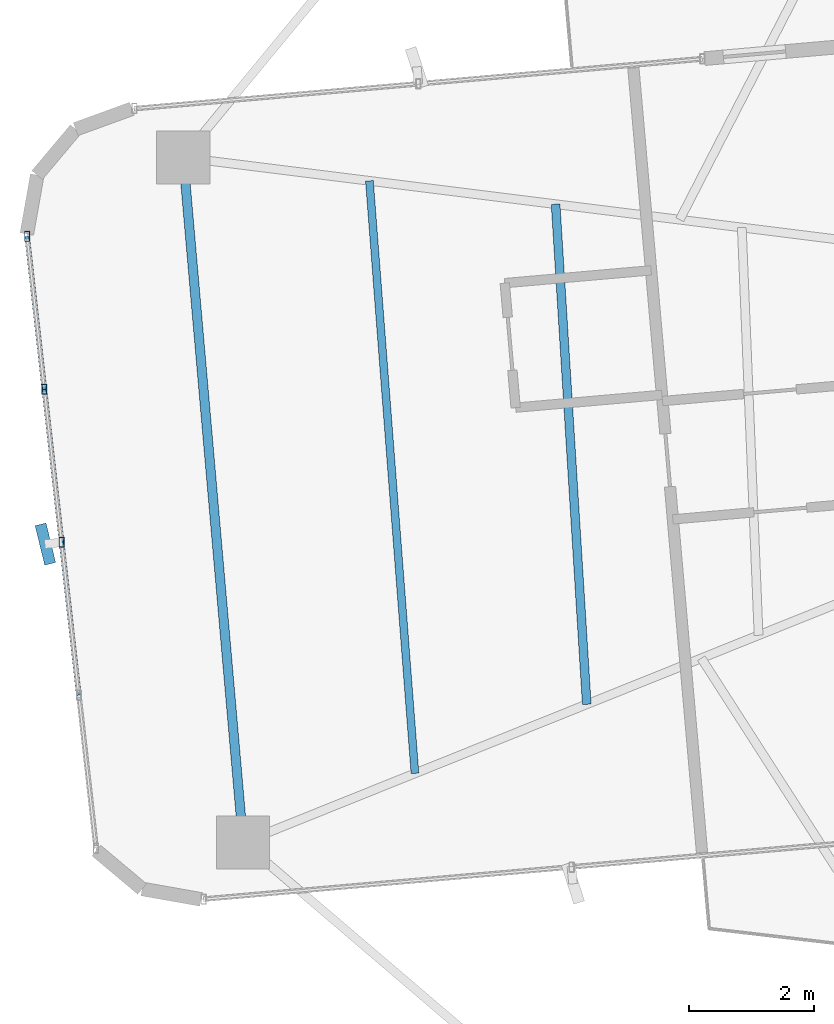
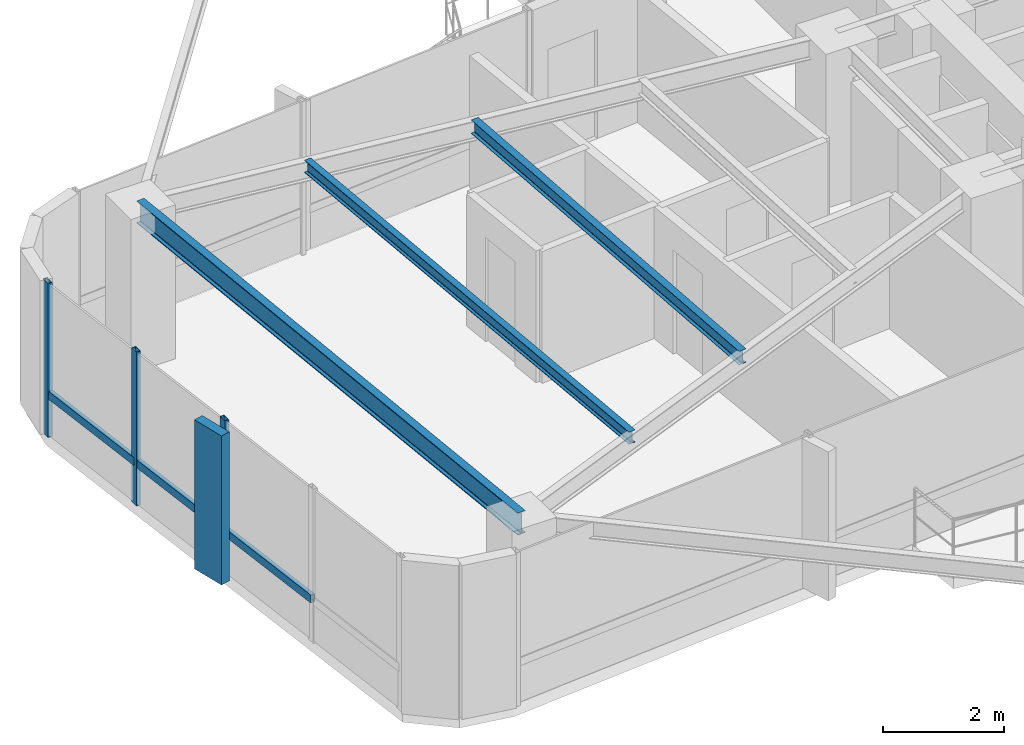
# One storey, part 8 of 24: 7 members, 3 beams, 1 element without a shape of its own.
"""IFC4 building model written with IfcOpenShell, lengths in metres."""

from ifc_helpers import new_model, si_unit, direction, frame, origin, origin_2d, place, context, subcontext, project, spatial, rectangle, hollow_rectangle, i_section, extrude, source, transform, mapped, material, material_profile, profile_set, type_object, element, aggregate, save


model = new_model("IFC4")

# Units and contexts
model_context = context("Model", 3, precision=1e-05, world=origin(), true_north=direction((0.0, 1.0)))
body_context = subcontext(model_context, "Body", "Model", "MODEL_VIEW")
ifc_project = project(units=[si_unit("LENGTHUNIT", "METRE"), si_unit("AREAUNIT", "SQUARE_METRE"), si_unit("VOLUMEUNIT", "CUBIC_METRE"), si_unit("PLANEANGLEUNIT", "RADIAN"), si_unit("MASSUNIT", "GRAM", prefix="KILO")], contexts=[model_context])

# Site, building, storey
site_placement = place(None, origin())
site = spatial("IfcSite", under=ifc_project, at=site_placement, CompositionType="ELEMENT")
building_placement = place(site_placement, origin())
building = spatial("IfcBuilding", under=site, at=building_placement, Name="Sahyath Konkavel Grand Hotel", CompositionType="ELEMENT")
storey_placement = place(building_placement, frame((0.0, 0.0, 181.89990234375)))
storey = spatial("IfcBuildingStorey", under=building, at=storey_placement, Name="L50", CompositionType="ELEMENT", Elevation=181.89990234375)

# Beams
ifc_material_1 = material(Name="Steel E350", Category="steel")
ifc_material_profile_1 = material_profile(ifc_material_1, i_section(OverallWidth=0.14990234375, OverallDepth=0.449951171875, WebThickness=0.009521484375, FlangeThickness=0.017333984375, FilletRadius=0.014892578125, at=origin_2d()), Name="ISMB 450")
ifc_profile_set_1 = profile_set([ifc_material_profile_1], Name="Steel E350")
beam_type_1 = type_object("IfcBeamType", Name="BM-ISMB450", PredefinedType="BEAM", material=ifc_profile_set_1)
shared_shape_1 = source(origin(), body_context, "Body", "SweptSolid", [
    extrude(i_section(OverallWidth=0.14990234375, OverallDepth=0.449951171875, WebThickness=0.009521484375, FlangeThickness=0.017333984375, FilletRadius=0.014892578125, at=origin_2d()), origin(), (0.0, 0.0, 1.0), 11.0),
])
beam_1_placement = place(storey_placement, frame((-17.912841796875, 3.953857421875, 2.885009765625), z_axis=(0.087157314015, -0.996194560622, 0.0), x_axis=(0.996194560622, 0.087157314015, 0.0)))
element("IfcBeam", 1, at=beam_1_placement, inside=storey, type_object=beam_type_1, Name="L50 Wing Tip Edge Beam W", PredefinedType="BEAM", context=body_context, shape_type="MappedRepresentation", body=[
    mapped(shared_shape_1, transform((0.0, 0.0, 0.0), scale=1.0)),
])
ifc_material_profile_2 = material_profile(ifc_material_1, i_section(OverallWidth=0.139892578125, OverallDepth=0.27490234375, WebThickness=0.00634765625, FlangeThickness=0.0087890625, FilletRadius=0.012939453125, at=origin_2d()), Name="ISLB 275")
ifc_profile_set_2 = profile_set([ifc_material_profile_2], Name="Steel E350")
beam_type_2 = type_object("IfcBeamType", Name="BM-ISLB275", PredefinedType="BEAM", material=ifc_profile_set_2)
shared_shape_2 = source(origin(), body_context, "Body", "SweptSolid", [
    extrude(i_section(OverallWidth=0.139892578125, OverallDepth=0.27490234375, WebThickness=0.00634765625, FlangeThickness=0.0087890625, FilletRadius=0.012939453125, at=origin_2d()), origin(), (0.0, 0.0, 1.0), 8.017822265625),
])
beam_2_placement = place(storey_placement, frame((-11.95458984375, 3.2080078125, 2.97265625), z_axis=(0.062179233264, -0.998064999362, 0.0), x_axis=(0.998064999362, 0.062179233264, 0.0)))
element("IfcBeam", 2, at=beam_2_placement, inside=storey, type_object=beam_type_2, Name="L50 Secondary Floor Beam W-2", PredefinedType="BEAM", context=body_context, shape_type="MappedRepresentation", body=[
    mapped(shared_shape_2, transform((0.0, 0.0, 0.0), scale=1.0)),
])
ifc_material_profile_3 = material_profile(ifc_material_1, i_section(OverallWidth=0.125, OverallDepth=0.25, WebThickness=0.0068359375, FlangeThickness=0.012451171875, FilletRadius=0.012939453125, at=origin_2d()), Name="ISMB 250")
ifc_profile_set_3 = profile_set([ifc_material_profile_3], Name="Steel E350")
beam_type_3 = type_object("IfcBeamType", Name="BM-ISMB250", PredefinedType="BEAM", material=ifc_profile_set_3)
shared_shape_3 = source(origin(), body_context, "Body", "SweptSolid", [
    extrude(i_section(OverallWidth=0.125, OverallDepth=0.25, WebThickness=0.0068359375, FlangeThickness=0.012451171875, FilletRadius=0.012939453125, at=origin_2d()), origin(), (0.0, 0.0, 1.0), 9.508056640625),
])
beam_3_placement = place(storey_placement, frame((-14.93359375, 3.580810546875, 2.985107421875), z_axis=(0.076619921029, -0.997060373148, 0.0), x_axis=(0.997060373148, 0.076619921029, 0.0)))
element("IfcBeam", 3, at=beam_3_placement, inside=storey, type_object=beam_type_3, Name="L50 Secondary Floor Beam W-3", PredefinedType="BEAM", context=body_context, shape_type="MappedRepresentation", body=[
    mapped(shared_shape_3, transform((0.0, 0.0, 0.0), scale=1.0)),
])

# Curtain wall, members
ifc_material_2 = material(Name="Anodised Bronze Aluminium & Low-E Glazing", Category="aluminium")
curtain_wall_type = type_object("IfcCurtainWallType", Name="CW-ZONE3", PredefinedType="NOTDEFINED", material=ifc_material_2)
curtain_wall_placement = place(storey_placement, origin())
curtain_wall = element("IfcCurtainWall", 4, at=curtain_wall_placement, inside=storey, type_object=curtain_wall_type, Name="L50 Unitised Curtain Wall F20", PredefinedType="NOTDEFINED")
ifc_material_3 = material(Name="Warm Buff Sandstone Cladding on Concrete C50/60", Category="masonry")
ifc_material_profile_4 = material_profile(ifc_material_3, rectangle(XDim=0.179931640625, YDim=0.64990234375, at=origin_2d()), Name="FIN 180x650")
ifc_profile_set_4 = profile_set([ifc_material_profile_4], Name="Warm Buff Sandstone Cladding on Concrete C50/60")
member_type_1 = type_object("IfcMemberType", Name="FIN-SANDSTONE-650", PredefinedType="MULLION", material=ifc_profile_set_4)
shared_shape_4 = source(origin(), body_context, "Body", "SweptSolid", [
    extrude(rectangle(XDim=0.179931640625, YDim=0.64990234375, at=origin_2d()), origin(), (0.0, 0.0, 1.0), 3.010009765625),
])
member_1_placement = place(storey_placement, frame((-20.1181640625, -2.23095703125, 0.050048828125), z_axis=(0.0, 0.0, 1.0), x_axis=(0.971590441254, 0.236668575149, 0.0)))
member_1 = element("IfcMember", 5, at=member_1_placement, type_object=member_type_1, Name="L50 Sandstone Vertical Solar Fin FIN F20-2", PredefinedType="MULLION", context=body_context, shape_type="MappedRepresentation", body=[
    mapped(shared_shape_4, transform((0.0, 0.0, 0.0), scale=1.0)),
])
ifc_material_4 = material(Name="Anodised Bronze Aluminium", Category="aluminium")
ifc_material_profile_5 = material_profile(ifc_material_4, hollow_rectangle(XDim=0.080078125, YDim=0.159912109375, WallThickness=0.006103515625, at=origin_2d()), Name="RHS 160x80x6")
ifc_profile_set_5 = profile_set([ifc_material_profile_5], Name="Anodised Bronze Aluminium")
member_type_2 = type_object("IfcMemberType", Name="CW-MUL-160", PredefinedType="MULLION", material=ifc_profile_set_5)
shared_shape_5 = source(origin(), body_context, "Body", "SweptSolid", [
    extrude(hollow_rectangle(XDim=0.080078125, YDim=0.159912109375, WallThickness=0.006103515625, at=origin_2d()), origin(), (0.0, 0.0, 1.0), 3.110107421875),
])
member_2_placement = place(storey_placement, frame((-20.4111328125, 2.69140625, 0.0), z_axis=(0.0, 0.0, 1.0), x_axis=(1.0, 0.0, 0.0)))
member_2 = element("IfcMember", 6, at=member_2_placement, type_object=member_type_2, Name="L50 Curtain Wall Mullion F20-0", PredefinedType="MULLION", context=body_context, shape_type="MappedRepresentation", body=[
    mapped(shared_shape_5, transform((0.0, 0.0, 0.0), scale=1.0)),
])
member_3_placement = place(storey_placement, frame((-20.135498046875, 0.24462890625, 0.0), z_axis=(0.0, 0.0, 1.0), x_axis=(1.0, 0.0, 0.0)))
member_3 = element("IfcMember", 7, at=member_3_placement, type_object=member_type_2, Name="L50 Curtain Wall Mullion F20-1", PredefinedType="MULLION", context=body_context, shape_type="MappedRepresentation", body=[
    mapped(shared_shape_5, transform((0.0, 0.0, 0.0), scale=1.0)),
])
member_4_placement = place(storey_placement, frame((-19.859619140625, -2.201904296875, 0.0), z_axis=(0.0, 0.0, 1.0), x_axis=(1.0, 0.0, 0.0)))
member_4 = element("IfcMember", 8, at=member_4_placement, type_object=member_type_2, Name="L50 Curtain Wall Mullion F20-2", PredefinedType="MULLION", context=body_context, shape_type="MappedRepresentation", body=[
    mapped(shared_shape_5, transform((0.0, 0.0, 0.0), scale=1.0)),
])
ifc_material_profile_6 = material_profile(ifc_material_4, hollow_rectangle(XDim=0.080078125, YDim=0.159912109375, WallThickness=0.006103515625, at=origin_2d()), Name="RHS 160x80x6")
ifc_profile_set_6 = profile_set([ifc_material_profile_6], Name="Anodised Bronze Aluminium")
member_type_3 = type_object("IfcMemberType", Name="CW-TRN-160", PredefinedType="USERDEFINED", material=ifc_profile_set_6)
shared_shape_6 = source(origin(), body_context, "Body", "SweptSolid", [
    extrude(hollow_rectangle(XDim=0.080078125, YDim=0.159912109375, WallThickness=0.006103515625, at=origin_2d()), origin(), (0.0, 0.0, 1.0), 2.462158203125),
])
member_5_placement = place(storey_placement, frame((-20.4111328125, 2.69140625, 0.85009765625), z_axis=(0.11194409079, -0.993714506555, 0.0), x_axis=(0.993714506555, 0.11194409079, 0.0)))
member_5 = element("IfcMember", 9, at=member_5_placement, type_object=member_type_3, Name="L50 Curtain Wall Transom F20-0-spandrel", ObjectType="TRANSOM", PredefinedType="USERDEFINED", context=body_context, shape_type="MappedRepresentation", body=[
    mapped(shared_shape_6, transform((0.0, 0.0, 0.0), scale=1.0)),
])
member_6_placement = place(storey_placement, frame((-20.135498046875, 0.24462890625, 0.85009765625), z_axis=(0.112053040279, -0.99370222711, 0.0), x_axis=(0.99370222711, 0.112053040279, 0.0)))
member_6 = element("IfcMember", 10, at=member_6_placement, type_object=member_type_3, Name="L50 Curtain Wall Transom F20-1-spandrel", ObjectType="TRANSOM", PredefinedType="USERDEFINED", context=body_context, shape_type="MappedRepresentation", body=[
    mapped(shared_shape_6, transform((0.0, 0.0, 0.0), scale=1.0)),
])
shared_shape_7 = source(origin(), body_context, "Body", "SweptSolid", [
    extrude(hollow_rectangle(XDim=0.080078125, YDim=0.159912109375, WallThickness=0.006103515625, at=origin_2d()), origin(), (0.0, 0.0, 1.0), 2.461669921875),
])
member_7_placement = place(storey_placement, frame((-19.859619140625, -2.201904296875, 0.85009765625), z_axis=(0.111966154832, -0.993712020744, 0.0), x_axis=(0.993712020744, 0.111966154832, 0.0)))
member_7 = element("IfcMember", 11, at=member_7_placement, type_object=member_type_3, Name="L50 Curtain Wall Transom F20-2-spandrel", ObjectType="TRANSOM", PredefinedType="USERDEFINED", context=body_context, shape_type="MappedRepresentation", body=[
    mapped(shared_shape_7, transform((0.0, 0.0, 0.0), scale=1.0)),
])
aggregate(curtain_wall, [member_2, member_3, member_4, member_1, member_5, member_6, member_7])

save(model, "model.ifc")
